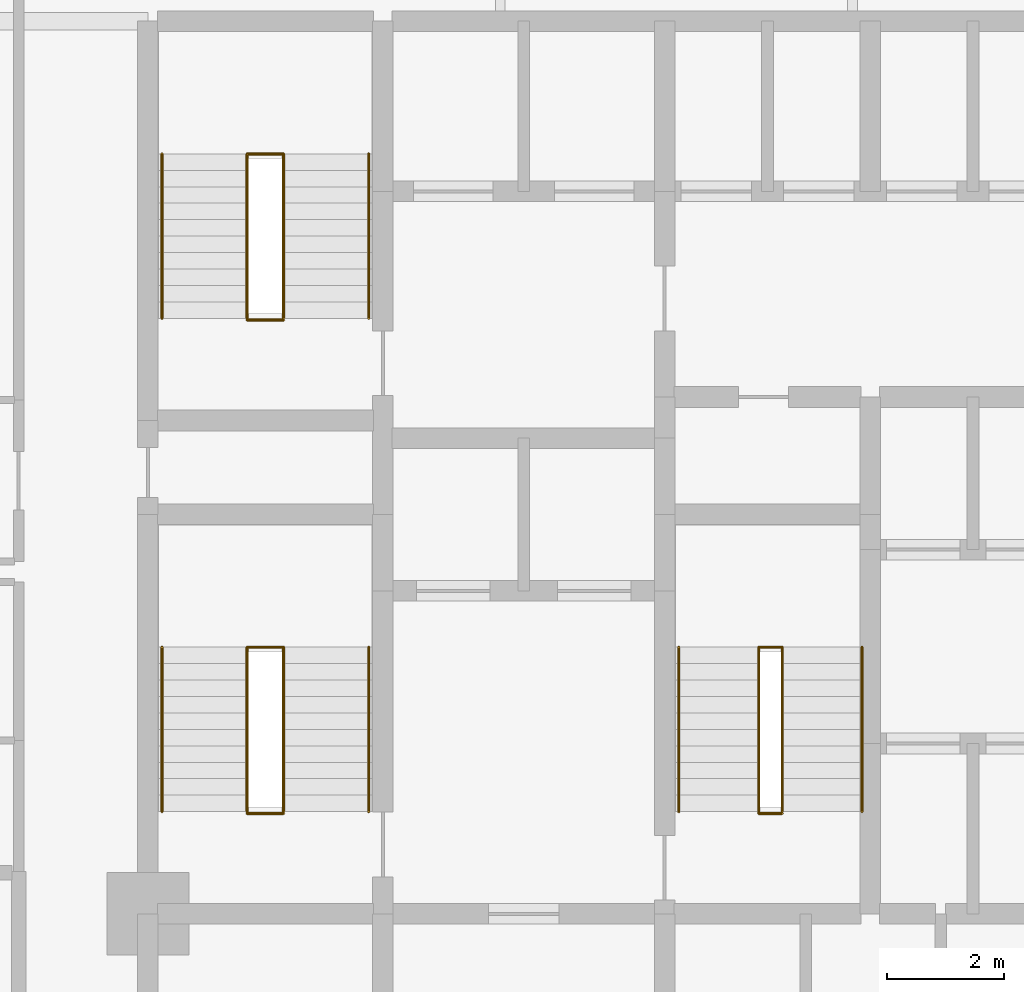
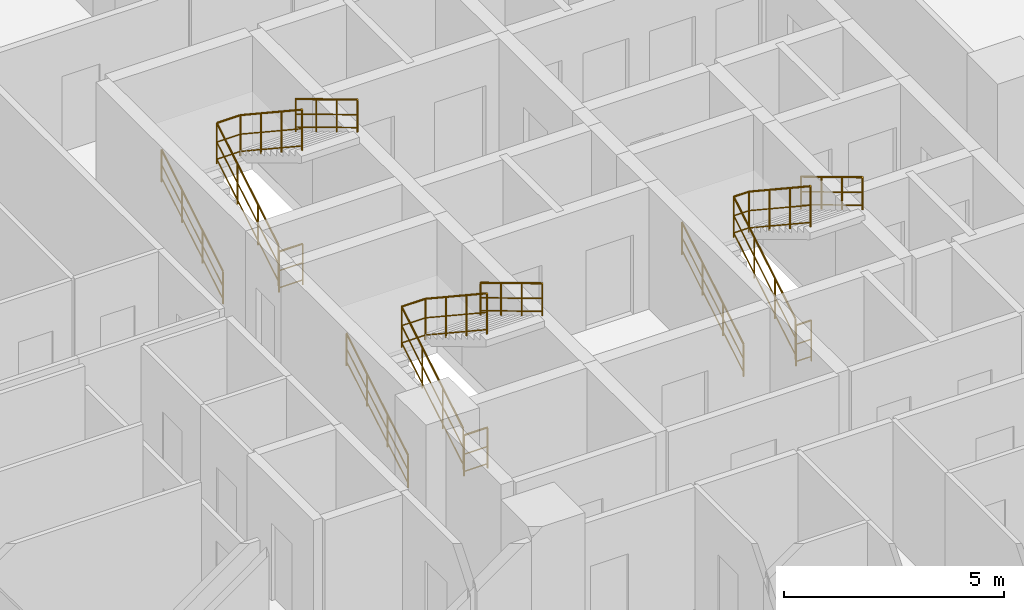
# One storey, part 33 of 33: 12 railings.
"""IFC4 building model written with IfcOpenShell, lengths in metres."""

from ifc_helpers import new_model, si_unit, direction, frame, origin, origin_2d, place, context, subcontext, project, spatial, circle, extrude, material, layer, layer_set, type_object, element, save


model = new_model("IFC4")

# Units and contexts
model_context = context("Model", 3, precision=1e-05, world=origin(), true_north=direction((0.0, 1.0)))
body_context = subcontext(model_context, "Body", "Model", "MODEL_VIEW")
ifc_project = project(units=[si_unit("LENGTHUNIT", "METRE"), si_unit("AREAUNIT", "SQUARE_METRE"), si_unit("VOLUMEUNIT", "CUBIC_METRE"), si_unit("PLANEANGLEUNIT", "RADIAN"), si_unit("MASSUNIT", "GRAM", prefix="KILO")], contexts=[model_context])

# Site, building, storey
site_placement = place(None, origin())
site = spatial("IfcSite", under=ifc_project, at=site_placement, CompositionType="ELEMENT")
building_placement = place(site_placement, origin())
building = spatial("IfcBuilding", under=site, at=building_placement, Name="Keshet Zoharim Tower", CompositionType="ELEMENT")
storey_placement = place(building_placement, frame((0.0, 0.0, 27.699951171875)))
storey = spatial("IfcBuildingStorey", under=building, at=storey_placement, Name="L05", CompositionType="ELEMENT", Elevation=27.699951171875)

# Railings
ifc_material = material(Name="Steel S355", Category="steel")
ifc_layer_1 = layer(ifc_material, 0.050048828125)
ifc_layer_set_1 = layer_set([ifc_layer_1], Name="Steel S355")
railing_type_1 = type_object("IfcRailingType", Name="RL-HND-092", PredefinedType="HANDRAIL", material=ifc_layer_set_1)
railing_1_placement = place(storey_placement, frame((15.239990234375, 24.43994140625, 0.168212890625)))
element("IfcRailing", 1, at=railing_1_placement, inside=storey, type_object=railing_type_1, Name="L05 ST-01 Flight 1 Wall Handrail", PredefinedType="HANDRAIL", context=body_context, shape_type="SweptSolid", body=[
    extrude(circle(Radius=0.02392578125, at=origin_2d()), frame((0.0, 0.0, 0.89599609375), z_axis=(0.0, 0.857242210791, 0.514913383045), x_axis=(-1.0, 0.0, 0.0)), (0.0, 0.0, 1.0), 3.266357421875),
    extrude(circle(Radius=0.01611328125, at=origin_2d()), frame((0.0, 0.0, 0.478271484375), z_axis=(0.0, 0.857242210791, 0.514913383045), x_axis=(-1.0, 0.0, 0.0)), (0.0, 0.0, 1.0), 3.266357421875),
    extrude(circle(Radius=0.01611328125, at=origin_2d()), frame((0.0, 0.0, 0.1201171875), z_axis=(0.0, 0.857242210791, 0.514913383045), x_axis=(-1.0, 0.0, 0.0)), (0.0, 0.0, 1.0), 3.266357421875),
    extrude(circle(Radius=0.02099609375, at=origin_2d()), origin(), (0.0, 0.0, 1.0), 0.871826171875),
    extrude(circle(Radius=0.02099609375, at=origin_2d()), frame((0.0, 0.933349609375, 0.560546875)), (0.0, 0.0, 1.0), 0.871826171875),
    extrude(circle(Radius=0.02099609375, at=origin_2d()), frame((0.0, 1.86669921875, 1.121337890625)), (0.0, 0.0, 1.0), 0.871826171875),
    extrude(circle(Radius=0.02099609375, at=origin_2d()), frame((0.0, 2.800048828125, 1.681884765625)), (0.0, 0.0, 1.0), 0.871826171875),
])
railing_2_placement = place(storey_placement, frame((18.760009765625, 27.239990234375, 2.018310546875)))
element("IfcRailing", 2, at=railing_2_placement, inside=storey, type_object=railing_type_1, Name="L05 ST-01 Flight 2 Wall Handrail", PredefinedType="HANDRAIL", context=body_context, shape_type="SweptSolid", body=[
    extrude(circle(Radius=0.02392578125, at=origin_2d()), frame((0.0, 0.0, 0.89599609375), z_axis=(0.0, -0.857275202839, 0.514858452973), x_axis=(1.0, 0.0, 0.0)), (0.0, 0.0, 1.0), 3.26611328125),
    extrude(circle(Radius=0.01611328125, at=origin_2d()), frame((0.0, 0.0, 0.478271484375), z_axis=(0.0, -0.857275202839, 0.514858452973), x_axis=(1.0, 0.0, 0.0)), (0.0, 0.0, 1.0), 3.26611328125),
    extrude(circle(Radius=0.01611328125, at=origin_2d()), frame((0.0, 0.0, 0.1201171875), z_axis=(0.0, -0.857275202839, 0.514858452973), x_axis=(1.0, 0.0, 0.0)), (0.0, 0.0, 1.0), 3.26611328125),
    extrude(circle(Radius=0.02099609375, at=origin_2d()), origin(), (0.0, 0.0, 1.0), 0.871826171875),
    extrude(circle(Radius=0.02099609375, at=origin_2d()), frame((0.0, -0.933349609375, 0.560546875)), (0.0, 0.0, 1.0), 0.871826171875),
    extrude(circle(Radius=0.02099609375, at=origin_2d()), frame((0.0, -1.86669921875, 1.12109375)), (0.0, 0.0, 1.0), 0.871826171875),
    extrude(circle(Radius=0.02099609375, at=origin_2d()), frame((0.0, -2.800048828125, 1.681640625)), (0.0, 0.0, 1.0), 0.871826171875),
])
railing_3_placement = place(storey_placement, frame((15.239990234375, 32.840087890625, 0.168212890625)))
element("IfcRailing", 3, at=railing_3_placement, inside=storey, type_object=railing_type_1, Name="L05 ST-02 Flight 1 Wall Handrail", PredefinedType="HANDRAIL", context=body_context, shape_type="SweptSolid", body=[
    extrude(circle(Radius=0.02392578125, at=origin_2d()), frame((0.0, 0.0, 0.89599609375), z_axis=(0.0, 0.857222391501, 0.514946377315), x_axis=(-1.0, 0.0, 0.0)), (0.0, 0.0, 1.0), 3.26611328125),
    extrude(circle(Radius=0.01611328125, at=origin_2d()), frame((0.0, 0.0, 0.478271484375), z_axis=(0.0, 0.857222391501, 0.514946377315), x_axis=(-1.0, 0.0, 0.0)), (0.0, 0.0, 1.0), 3.26611328125),
    extrude(circle(Radius=0.01611328125, at=origin_2d()), frame((0.0, 0.0, 0.1201171875), z_axis=(0.0, 0.857222391501, 0.514946377315), x_axis=(-1.0, 0.0, 0.0)), (0.0, 0.0, 1.0), 3.26611328125),
    extrude(circle(Radius=0.02099609375, at=origin_2d()), origin(), (0.0, 0.0, 1.0), 0.871826171875),
    extrude(circle(Radius=0.02099609375, at=origin_2d()), frame((0.0, 0.933349609375, 0.560546875)), (0.0, 0.0, 1.0), 0.871826171875),
    extrude(circle(Radius=0.02099609375, at=origin_2d()), frame((0.0, 1.866455078125, 1.121337890625)), (0.0, 0.0, 1.0), 0.871826171875),
    extrude(circle(Radius=0.02099609375, at=origin_2d()), frame((0.0, 2.7998046875, 1.681884765625)), (0.0, 0.0, 1.0), 0.871826171875),
])
railing_4_placement = place(storey_placement, frame((18.760009765625, 35.639892578125, 2.018310546875)))
element("IfcRailing", 4, at=railing_4_placement, inside=storey, type_object=railing_type_1, Name="L05 ST-02 Flight 2 Wall Handrail", PredefinedType="HANDRAIL", context=body_context, shape_type="SweptSolid", body=[
    extrude(circle(Radius=0.02392578125, at=origin_2d()), frame((0.0, 0.0, 0.89599609375), z_axis=(0.0, -0.857255387014, 0.514891446264), x_axis=(1.0, 0.0, 0.0)), (0.0, 0.0, 1.0), 3.26611328125),
    extrude(circle(Radius=0.01611328125, at=origin_2d()), frame((0.0, 0.0, 0.478271484375), z_axis=(0.0, -0.857255387014, 0.514891446264), x_axis=(1.0, 0.0, 0.0)), (0.0, 0.0, 1.0), 3.26611328125),
    extrude(circle(Radius=0.01611328125, at=origin_2d()), frame((0.0, 0.0, 0.1201171875), z_axis=(0.0, -0.857255387014, 0.514891446264), x_axis=(1.0, 0.0, 0.0)), (0.0, 0.0, 1.0), 3.26611328125),
    extrude(circle(Radius=0.02099609375, at=origin_2d()), origin(), (0.0, 0.0, 1.0), 0.871826171875),
    extrude(circle(Radius=0.02099609375, at=origin_2d()), frame((0.0, -0.933349609375, 0.560546875)), (0.0, 0.0, 1.0), 0.871826171875),
    extrude(circle(Radius=0.02099609375, at=origin_2d()), frame((0.0, -1.866455078125, 1.12109375)), (0.0, 0.0, 1.0), 0.871826171875),
    extrude(circle(Radius=0.02099609375, at=origin_2d()), frame((0.0, -2.7998046875, 1.681640625)), (0.0, 0.0, 1.0), 0.871826171875),
])
railing_5_placement = place(storey_placement, frame((24.0400390625, 24.43994140625, 0.168212890625)))
element("IfcRailing", 5, at=railing_5_placement, inside=storey, type_object=railing_type_1, Name="L05 ST-03 Flight 1 Wall Handrail", PredefinedType="HANDRAIL", context=body_context, shape_type="SweptSolid", body=[
    extrude(circle(Radius=0.02392578125, at=origin_2d()), frame((0.0, 0.0, 0.89599609375), z_axis=(0.0, 0.857242210791, 0.514913383045), x_axis=(-1.0, 0.0, 0.0)), (0.0, 0.0, 1.0), 3.266357421875),
    extrude(circle(Radius=0.01611328125, at=origin_2d()), frame((0.0, 0.0, 0.478271484375), z_axis=(0.0, 0.857242210791, 0.514913383045), x_axis=(-1.0, 0.0, 0.0)), (0.0, 0.0, 1.0), 3.266357421875),
    extrude(circle(Radius=0.01611328125, at=origin_2d()), frame((0.0, 0.0, 0.1201171875), z_axis=(0.0, 0.857242210791, 0.514913383045), x_axis=(-1.0, 0.0, 0.0)), (0.0, 0.0, 1.0), 3.266357421875),
    extrude(circle(Radius=0.02099609375, at=origin_2d()), origin(), (0.0, 0.0, 1.0), 0.871826171875),
    extrude(circle(Radius=0.02099609375, at=origin_2d()), frame((0.0, 0.933349609375, 0.560546875)), (0.0, 0.0, 1.0), 0.871826171875),
    extrude(circle(Radius=0.02099609375, at=origin_2d()), frame((0.0, 1.86669921875, 1.121337890625)), (0.0, 0.0, 1.0), 0.871826171875),
    extrude(circle(Radius=0.02099609375, at=origin_2d()), frame((0.0, 2.800048828125, 1.681884765625)), (0.0, 0.0, 1.0), 0.871826171875),
])
railing_6_placement = place(storey_placement, frame((27.159912109375, 27.239990234375, 2.018310546875)))
element("IfcRailing", 6, at=railing_6_placement, inside=storey, type_object=railing_type_1, Name="L05 ST-03 Flight 2 Wall Handrail", PredefinedType="HANDRAIL", context=body_context, shape_type="SweptSolid", body=[
    extrude(circle(Radius=0.02392578125, at=origin_2d()), frame((0.0, 0.0, 0.89599609375), z_axis=(0.0, -0.857275202839, 0.514858452973), x_axis=(1.0, 0.0, 0.0)), (0.0, 0.0, 1.0), 3.26611328125),
    extrude(circle(Radius=0.01611328125, at=origin_2d()), frame((0.0, 0.0, 0.478271484375), z_axis=(0.0, -0.857275202839, 0.514858452973), x_axis=(1.0, 0.0, 0.0)), (0.0, 0.0, 1.0), 3.26611328125),
    extrude(circle(Radius=0.01611328125, at=origin_2d()), frame((0.0, 0.0, 0.1201171875), z_axis=(0.0, -0.857275202839, 0.514858452973), x_axis=(1.0, 0.0, 0.0)), (0.0, 0.0, 1.0), 3.26611328125),
    extrude(circle(Radius=0.02099609375, at=origin_2d()), origin(), (0.0, 0.0, 1.0), 0.871826171875),
    extrude(circle(Radius=0.02099609375, at=origin_2d()), frame((0.0, -0.933349609375, 0.560546875)), (0.0, 0.0, 1.0), 0.871826171875),
    extrude(circle(Radius=0.02099609375, at=origin_2d()), frame((0.0, -1.86669921875, 1.12109375)), (0.0, 0.0, 1.0), 0.871826171875),
    extrude(circle(Radius=0.02099609375, at=origin_2d()), frame((0.0, -2.800048828125, 1.681640625)), (0.0, 0.0, 1.0), 0.871826171875),
])
ifc_layer_2 = layer(ifc_material, 0.06005859375)
ifc_layer_set_2 = layer_set([ifc_layer_2], Name="Steel S355")
railing_type_2 = type_object("IfcRailingType", Name="RL-STG-115", PredefinedType="GUARDRAIL", material=ifc_layer_set_2)
railing_7_placement = place(storey_placement, frame((16.68994140625, 24.43994140625, 0.168212890625)))
element("IfcRailing", 7, at=railing_7_placement, inside=storey, type_object=railing_type_2, Name="L05 ST-01 Inner Well Guardrail", PredefinedType="GUARDRAIL", context=body_context, shape_type="SweptSolid", body=[
    extrude(circle(Radius=0.02392578125, at=origin_2d()), frame((0.0, 0.0, 1.1259765625), z_axis=(0.0, 0.857242210791, 0.514913383045), x_axis=(-1.0, 0.0, 0.0)), (0.0, 0.0, 1.0), 3.266357421875),
    extrude(circle(Radius=0.01611328125, at=origin_2d()), frame((0.0, 0.0, 0.597900390625), z_axis=(0.0, 0.857242210791, 0.514913383045), x_axis=(-1.0, 0.0, 0.0)), (0.0, 0.0, 1.0), 3.266357421875),
    extrude(circle(Radius=0.01611328125, at=origin_2d()), frame((0.0, 0.0, 0.1201171875), z_axis=(0.0, 0.857242210791, 0.514913383045), x_axis=(-1.0, 0.0, 0.0)), (0.0, 0.0, 1.0), 3.266357421875),
    extrude(circle(Radius=0.02392578125, at=origin_2d()), frame((0.0, 2.800048828125, 2.8076171875), z_axis=(1.0, 0.0, 0.0), x_axis=(0.0, 1.0, 0.0)), (0.0, 0.0, 1.0), 0.6201171875),
    extrude(circle(Radius=0.01611328125, at=origin_2d()), frame((0.0, 2.800048828125, 2.27978515625), z_axis=(1.0, 0.0, 0.0), x_axis=(0.0, 1.0, 0.0)), (0.0, 0.0, 1.0), 0.6201171875),
    extrude(circle(Radius=0.01611328125, at=origin_2d()), frame((0.0, 2.800048828125, 1.802001953125), z_axis=(1.0, 0.0, 0.0), x_axis=(0.0, 1.0, 0.0)), (0.0, 0.0, 1.0), 0.6201171875),
    extrude(circle(Radius=0.02392578125, at=origin_2d()), frame((0.6201171875, 2.800048828125, 2.8076171875), z_axis=(0.0, -0.83435981716, 0.551220187865), x_axis=(1.0, 0.0, 0.0)), (0.0, 0.0, 1.0), 3.35595703125),
    extrude(circle(Radius=0.01611328125, at=origin_2d()), frame((0.6201171875, 2.800048828125, 2.27978515625), z_axis=(0.0, -0.83435981716, 0.551220187865), x_axis=(1.0, 0.0, 0.0)), (0.0, 0.0, 1.0), 3.35595703125),
    extrude(circle(Radius=0.01611328125, at=origin_2d()), frame((0.6201171875, 2.800048828125, 1.802001953125), z_axis=(0.0, -0.83435981716, 0.551220187865), x_axis=(1.0, 0.0, 0.0)), (0.0, 0.0, 1.0), 3.35595703125),
    extrude(circle(Radius=0.02099609375, at=origin_2d()), origin(), (0.0, 0.0, 1.0), 1.101806640625),
    extrude(circle(Radius=0.02099609375, at=origin_2d()), frame((0.0, 0.933349609375, 0.560546875)), (0.0, 0.0, 1.0), 1.101806640625),
    extrude(circle(Radius=0.02099609375, at=origin_2d()), frame((0.0, 1.86669921875, 1.121337890625)), (0.0, 0.0, 1.0), 1.101806640625),
    extrude(circle(Radius=0.02099609375, at=origin_2d()), frame((0.0, 2.800048828125, 1.681884765625)), (0.0, 0.0, 1.0), 1.101806640625),
    extrude(circle(Radius=0.02099609375, at=origin_2d()), frame((0.6201171875, 2.800048828125, 1.681884765625)), (0.0, 0.0, 1.0), 1.101806640625),
    extrude(circle(Radius=0.02099609375, at=origin_2d()), frame((0.6201171875, 1.86669921875, 2.298583984375)), (0.0, 0.0, 1.0), 1.101806640625),
    extrude(circle(Radius=0.02099609375, at=origin_2d()), frame((0.6201171875, 0.933349609375, 2.9150390625)), (0.0, 0.0, 1.0), 1.101806640625),
    extrude(circle(Radius=0.02099609375, at=origin_2d()), frame((0.6201171875, 0.0, 3.53173828125)), (0.0, 0.0, 1.0), 1.101806640625),
])
railing_8_placement = place(storey_placement, frame((16.68994140625, 24.409912109375, 0.0)))
element("IfcRailing", 8, at=railing_8_placement, inside=storey, type_object=railing_type_2, Name="L05 ST-01 Stairwell Floor Guardrail", PredefinedType="GUARDRAIL", context=body_context, shape_type="SweptSolid", body=[
    extrude(circle(Radius=0.02392578125, at=origin_2d()), frame((0.0, 0.0, 1.1259765625), z_axis=(1.0, 0.0, 0.0), x_axis=(0.0, 1.0, 0.0)), (0.0, 0.0, 1.0), 0.6201171875),
    extrude(circle(Radius=0.01611328125, at=origin_2d()), frame((0.0, 0.0, 0.597900390625), z_axis=(1.0, 0.0, 0.0), x_axis=(0.0, 1.0, 0.0)), (0.0, 0.0, 1.0), 0.6201171875),
    extrude(circle(Radius=0.01611328125, at=origin_2d()), frame((0.0, 0.0, 0.1201171875), z_axis=(1.0, 0.0, 0.0), x_axis=(0.0, 1.0, 0.0)), (0.0, 0.0, 1.0), 0.6201171875),
    extrude(circle(Radius=0.02099609375, at=origin_2d()), origin(), (0.0, 0.0, 1.0), 1.101806640625),
    extrude(circle(Radius=0.02099609375, at=origin_2d()), frame((0.6201171875, 0.0, 0.0)), (0.0, 0.0, 1.0), 1.101806640625),
])
railing_9_placement = place(storey_placement, frame((16.68994140625, 32.840087890625, 0.168212890625)))
element("IfcRailing", 9, at=railing_9_placement, inside=storey, type_object=railing_type_2, Name="L05 ST-02 Inner Well Guardrail", PredefinedType="GUARDRAIL", context=body_context, shape_type="SweptSolid", body=[
    extrude(circle(Radius=0.02392578125, at=origin_2d()), frame((0.0, 0.0, 1.1259765625), z_axis=(0.0, 0.857222391501, 0.514946377315), x_axis=(-1.0, 0.0, 0.0)), (0.0, 0.0, 1.0), 3.26611328125),
    extrude(circle(Radius=0.01611328125, at=origin_2d()), frame((0.0, 0.0, 0.597900390625), z_axis=(0.0, 0.857222391501, 0.514946377315), x_axis=(-1.0, 0.0, 0.0)), (0.0, 0.0, 1.0), 3.26611328125),
    extrude(circle(Radius=0.01611328125, at=origin_2d()), frame((0.0, 0.0, 0.1201171875), z_axis=(0.0, 0.857222391501, 0.514946377315), x_axis=(-1.0, 0.0, 0.0)), (0.0, 0.0, 1.0), 3.26611328125),
    extrude(circle(Radius=0.02392578125, at=origin_2d()), frame((0.0, 2.7998046875, 2.8076171875), z_axis=(1.0, 0.0, 0.0), x_axis=(0.0, 1.0, 0.0)), (0.0, 0.0, 1.0), 0.6201171875),
    extrude(circle(Radius=0.01611328125, at=origin_2d()), frame((0.0, 2.7998046875, 2.27978515625), z_axis=(1.0, 0.0, 0.0), x_axis=(0.0, 1.0, 0.0)), (0.0, 0.0, 1.0), 0.6201171875),
    extrude(circle(Radius=0.01611328125, at=origin_2d()), frame((0.0, 2.7998046875, 1.802001953125), z_axis=(1.0, 0.0, 0.0), x_axis=(0.0, 1.0, 0.0)), (0.0, 0.0, 1.0), 0.6201171875),
    extrude(circle(Radius=0.02392578125, at=origin_2d()), frame((0.6201171875, 2.7998046875, 2.8076171875), z_axis=(0.0, -0.834337710781, 0.551253647941), x_axis=(1.0, 0.0, 0.0)), (0.0, 0.0, 1.0), 3.355712890625),
    extrude(circle(Radius=0.01611328125, at=origin_2d()), frame((0.6201171875, 2.7998046875, 2.27978515625), z_axis=(0.0, -0.834337710781, 0.551253647941), x_axis=(1.0, 0.0, 0.0)), (0.0, 0.0, 1.0), 3.355712890625),
    extrude(circle(Radius=0.01611328125, at=origin_2d()), frame((0.6201171875, 2.7998046875, 1.802001953125), z_axis=(0.0, -0.834337710781, 0.551253647941), x_axis=(1.0, 0.0, 0.0)), (0.0, 0.0, 1.0), 3.355712890625),
    extrude(circle(Radius=0.02099609375, at=origin_2d()), origin(), (0.0, 0.0, 1.0), 1.101806640625),
    extrude(circle(Radius=0.02099609375, at=origin_2d()), frame((0.0, 0.933349609375, 0.560546875)), (0.0, 0.0, 1.0), 1.101806640625),
    extrude(circle(Radius=0.02099609375, at=origin_2d()), frame((0.0, 1.866455078125, 1.121337890625)), (0.0, 0.0, 1.0), 1.101806640625),
    extrude(circle(Radius=0.02099609375, at=origin_2d()), frame((0.0, 2.7998046875, 1.681884765625)), (0.0, 0.0, 1.0), 1.101806640625),
    extrude(circle(Radius=0.02099609375, at=origin_2d()), frame((0.6201171875, 2.7998046875, 1.681884765625)), (0.0, 0.0, 1.0), 1.101806640625),
    extrude(circle(Radius=0.02099609375, at=origin_2d()), frame((0.6201171875, 1.866455078125, 2.298583984375)), (0.0, 0.0, 1.0), 1.101806640625),
    extrude(circle(Radius=0.02099609375, at=origin_2d()), frame((0.6201171875, 0.933349609375, 2.9150390625)), (0.0, 0.0, 1.0), 1.101806640625),
    extrude(circle(Radius=0.02099609375, at=origin_2d()), frame((0.6201171875, 0.0, 3.53173828125)), (0.0, 0.0, 1.0), 1.101806640625),
])
railing_10_placement = place(storey_placement, frame((16.68994140625, 32.81005859375, 0.0)))
element("IfcRailing", 10, at=railing_10_placement, inside=storey, type_object=railing_type_2, Name="L05 ST-02 Stairwell Floor Guardrail", PredefinedType="GUARDRAIL", context=body_context, shape_type="SweptSolid", body=[
    extrude(circle(Radius=0.02392578125, at=origin_2d()), frame((0.0, 0.0, 1.1259765625), z_axis=(1.0, 0.0, 0.0), x_axis=(0.0, 1.0, 0.0)), (0.0, 0.0, 1.0), 0.6201171875),
    extrude(circle(Radius=0.01611328125, at=origin_2d()), frame((0.0, 0.0, 0.597900390625), z_axis=(1.0, 0.0, 0.0), x_axis=(0.0, 1.0, 0.0)), (0.0, 0.0, 1.0), 0.6201171875),
    extrude(circle(Radius=0.01611328125, at=origin_2d()), frame((0.0, 0.0, 0.1201171875), z_axis=(1.0, 0.0, 0.0), x_axis=(0.0, 1.0, 0.0)), (0.0, 0.0, 1.0), 0.6201171875),
    extrude(circle(Radius=0.02099609375, at=origin_2d()), origin(), (0.0, 0.0, 1.0), 1.101806640625),
    extrude(circle(Radius=0.02099609375, at=origin_2d()), frame((0.6201171875, 0.0, 0.0)), (0.0, 0.0, 1.0), 1.101806640625),
])
railing_11_placement = place(storey_placement, frame((25.39990234375, 24.43994140625, 0.168212890625)))
element("IfcRailing", 11, at=railing_11_placement, inside=storey, type_object=railing_type_2, Name="L05 ST-03 Inner Well Guardrail", PredefinedType="GUARDRAIL", context=body_context, shape_type="SweptSolid", body=[
    extrude(circle(Radius=0.02392578125, at=origin_2d()), frame((0.0, 0.0, 1.1259765625), z_axis=(0.0, 0.857242210791, 0.514913383045), x_axis=(-1.0, 0.0, 0.0)), (0.0, 0.0, 1.0), 3.266357421875),
    extrude(circle(Radius=0.01611328125, at=origin_2d()), frame((0.0, 0.0, 0.597900390625), z_axis=(0.0, 0.857242210791, 0.514913383045), x_axis=(-1.0, 0.0, 0.0)), (0.0, 0.0, 1.0), 3.266357421875),
    extrude(circle(Radius=0.01611328125, at=origin_2d()), frame((0.0, 0.0, 0.1201171875), z_axis=(0.0, 0.857242210791, 0.514913383045), x_axis=(-1.0, 0.0, 0.0)), (0.0, 0.0, 1.0), 3.266357421875),
    extrude(circle(Radius=0.02392578125, at=origin_2d()), frame((0.0, 2.800048828125, 2.8076171875), z_axis=(1.0, 0.0, 0.0), x_axis=(0.0, 1.0, 0.0)), (0.0, 0.0, 1.0), 0.400146484375),
    extrude(circle(Radius=0.01611328125, at=origin_2d()), frame((0.0, 2.800048828125, 2.27978515625), z_axis=(1.0, 0.0, 0.0), x_axis=(0.0, 1.0, 0.0)), (0.0, 0.0, 1.0), 0.400146484375),
    extrude(circle(Radius=0.01611328125, at=origin_2d()), frame((0.0, 2.800048828125, 1.802001953125), z_axis=(1.0, 0.0, 0.0), x_axis=(0.0, 1.0, 0.0)), (0.0, 0.0, 1.0), 0.400146484375),
    extrude(circle(Radius=0.02392578125, at=origin_2d()), frame((0.400146484375, 2.800048828125, 2.8076171875), z_axis=(0.0, -0.83435981716, 0.551220187865), x_axis=(1.0, 0.0, 0.0)), (0.0, 0.0, 1.0), 3.35595703125),
    extrude(circle(Radius=0.01611328125, at=origin_2d()), frame((0.400146484375, 2.800048828125, 2.27978515625), z_axis=(0.0, -0.83435981716, 0.551220187865), x_axis=(1.0, 0.0, 0.0)), (0.0, 0.0, 1.0), 3.35595703125),
    extrude(circle(Radius=0.01611328125, at=origin_2d()), frame((0.400146484375, 2.800048828125, 1.802001953125), z_axis=(0.0, -0.83435981716, 0.551220187865), x_axis=(1.0, 0.0, 0.0)), (0.0, 0.0, 1.0), 3.35595703125),
    extrude(circle(Radius=0.02099609375, at=origin_2d()), origin(), (0.0, 0.0, 1.0), 1.101806640625),
    extrude(circle(Radius=0.02099609375, at=origin_2d()), frame((0.0, 0.933349609375, 0.560546875)), (0.0, 0.0, 1.0), 1.101806640625),
    extrude(circle(Radius=0.02099609375, at=origin_2d()), frame((0.0, 1.86669921875, 1.121337890625)), (0.0, 0.0, 1.0), 1.101806640625),
    extrude(circle(Radius=0.02099609375, at=origin_2d()), frame((0.0, 2.800048828125, 1.681884765625)), (0.0, 0.0, 1.0), 1.101806640625),
    extrude(circle(Radius=0.02099609375, at=origin_2d()), frame((0.400146484375, 2.800048828125, 1.681884765625)), (0.0, 0.0, 1.0), 1.101806640625),
    extrude(circle(Radius=0.02099609375, at=origin_2d()), frame((0.400146484375, 1.86669921875, 2.298583984375)), (0.0, 0.0, 1.0), 1.101806640625),
    extrude(circle(Radius=0.02099609375, at=origin_2d()), frame((0.400146484375, 0.933349609375, 2.9150390625)), (0.0, 0.0, 1.0), 1.101806640625),
    extrude(circle(Radius=0.02099609375, at=origin_2d()), frame((0.400146484375, 0.0, 3.53173828125)), (0.0, 0.0, 1.0), 1.101806640625),
])
railing_12_placement = place(storey_placement, frame((25.39990234375, 24.409912109375, 0.0)))
element("IfcRailing", 12, at=railing_12_placement, inside=storey, type_object=railing_type_2, Name="L05 ST-03 Stairwell Floor Guardrail", PredefinedType="GUARDRAIL", context=body_context, shape_type="SweptSolid", body=[
    extrude(circle(Radius=0.02392578125, at=origin_2d()), frame((0.0, 0.0, 1.1259765625), z_axis=(1.0, 0.0, 0.0), x_axis=(0.0, 1.0, 0.0)), (0.0, 0.0, 1.0), 0.400146484375),
    extrude(circle(Radius=0.01611328125, at=origin_2d()), frame((0.0, 0.0, 0.597900390625), z_axis=(1.0, 0.0, 0.0), x_axis=(0.0, 1.0, 0.0)), (0.0, 0.0, 1.0), 0.400146484375),
    extrude(circle(Radius=0.01611328125, at=origin_2d()), frame((0.0, 0.0, 0.1201171875), z_axis=(1.0, 0.0, 0.0), x_axis=(0.0, 1.0, 0.0)), (0.0, 0.0, 1.0), 0.400146484375),
    extrude(circle(Radius=0.02099609375, at=origin_2d()), origin(), (0.0, 0.0, 1.0), 1.101806640625),
    extrude(circle(Radius=0.02099609375, at=origin_2d()), frame((0.400146484375, 0.0, 0.0)), (0.0, 0.0, 1.0), 1.101806640625),
])

save(model, "model.ifc")
